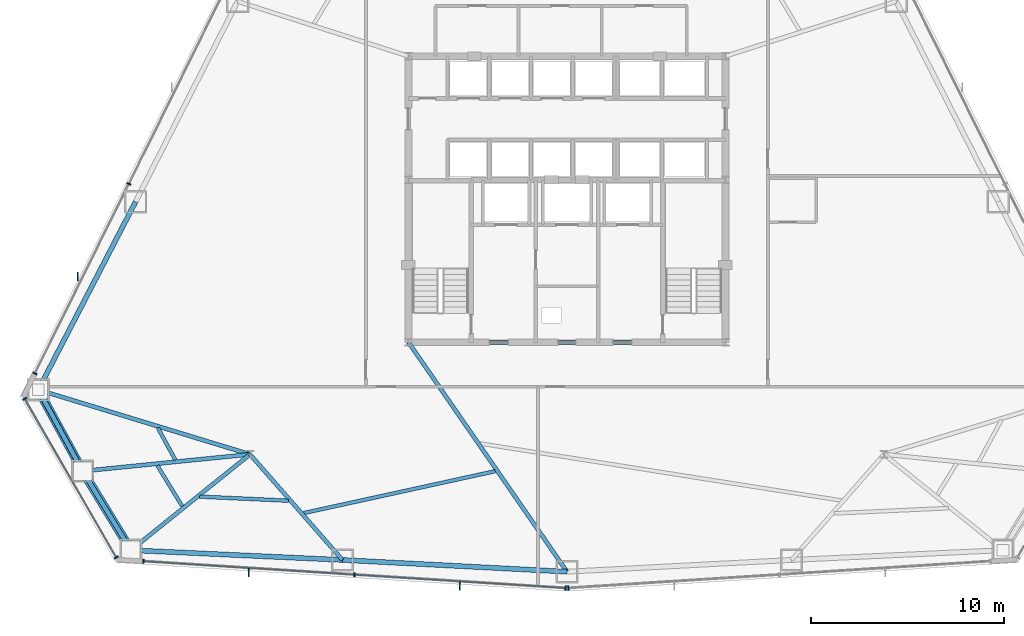
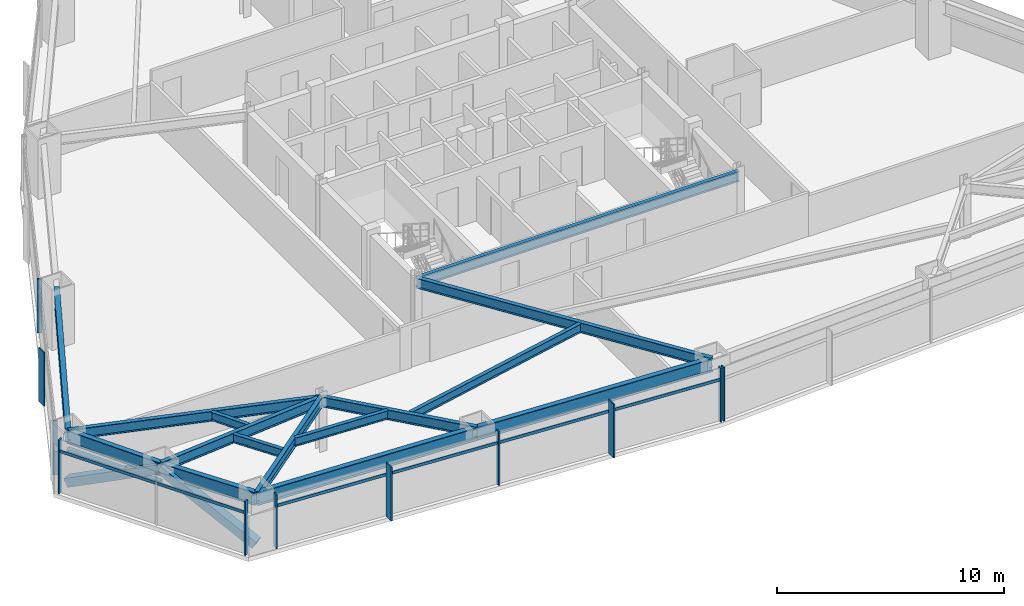
# One storey, part 4 of 12: 16 members, 15 beams, 4 elements without a shape of their own.
"""IFC4 building model written with IfcOpenShell, lengths in metres."""

from ifc_helpers import new_model, si_unit, direction, frame, origin, origin_2d, place, context, subcontext, project, spatial, rectangle, hollow_rectangle, hollow_circle, i_section, extrude, source, transform, mapped, material, layer, layer_set, material_profile, profile_set, type_object, type_shapes, element, aggregate, save


model = new_model("IFC4")

# Units and contexts
model_context = context("Model", 3, precision=1e-05, world=origin(), true_north=direction((0.0, 1.0)))
body_context = subcontext(model_context, "Body", "Model", "MODEL_VIEW")
ifc_project = project(units=[si_unit("LENGTHUNIT", "METRE"), si_unit("AREAUNIT", "SQUARE_METRE"), si_unit("VOLUMEUNIT", "CUBIC_METRE"), si_unit("PLANEANGLEUNIT", "RADIAN"), si_unit("MASSUNIT", "GRAM", prefix="KILO")], contexts=[model_context])

# Site, building, storey
site_placement = place(None, origin())
site = spatial("IfcSite", under=ifc_project, at=site_placement, CompositionType="ELEMENT")
building_placement = place(site_placement, origin())
building = spatial("IfcBuilding", under=site, at=building_placement, Name="Varakhsha Concourse Tower", CompositionType="ELEMENT")
storey_placement = place(building_placement, frame((0.0, 0.0, 65.60009765625)))
storey = spatial("IfcBuildingStorey", under=building, at=storey_placement, Name="L18", CompositionType="ELEMENT", Elevation=65.60009765625)

# Beams
ifc_material_1 = material(Name="Structural Steel ASTM A992 Grade 50", Category="steel")
ifc_material_profile_1 = material_profile(ifc_material_1, i_section(OverallWidth=0.19091796875, OverallDepth=0.45703125, WebThickness=0.009033203125, FlangeThickness=0.013916015625, at=origin_2d()), Name="W18X50")
ifc_profile_set_1 = profile_set([ifc_material_profile_1], Name="Structural Steel ASTM A992 Grade 50")
beam_type_1 = type_object("IfcBeamType", Name="BM-JST-W18X50", PredefinedType="JOIST", material=ifc_profile_set_1)
beam_1_placement = place(storey_placement, frame((18.834228515625, 11.9736328125, 2.67138671875), z_axis=(0.478526062289, -0.878073349846, 0.0), x_axis=(0.878073349846, 0.478526062289, 0.0)))
element("IfcBeam", 1, at=beam_1_placement, inside=storey, type_object=beam_type_1, Name="BM-TJST-L18-07", PredefinedType="JOIST", context=body_context, shape_type="SweptSolid", body=[
    extrude(i_section(OverallWidth=0.19091796875, OverallDepth=0.45703125, WebThickness=0.009033203125, FlangeThickness=0.013916015625, at=origin_2d()), origin(), (0.0, 0.0, 1.0), 1.888671875),
])
beam_2_placement = place(storey_placement, frame((18.80908203125, 10.0205078125, 2.67138671875), z_axis=(0.521241559625, -0.853409184694, 0.0), x_axis=(0.853409184694, 0.521241559625, 0.0)))
element("IfcBeam", 2, at=beam_2_placement, inside=storey, type_object=beam_type_1, Name="BM-TJST-L18-08", PredefinedType="JOIST", context=body_context, shape_type="SweptSolid", body=[
    extrude(i_section(OverallWidth=0.19091796875, OverallDepth=0.45703125, WebThickness=0.009033203125, FlangeThickness=0.013916015625, at=origin_2d()), origin(), (0.0, 0.0, 1.0), 2.463623046875),
])
beam_3_placement = place(storey_placement, frame((20.999755859375, 8.413818359375, 2.67138671875), z_axis=(0.998933788082, -0.04616586431, 0.0), x_axis=(0.04616586431, 0.998933788082, 0.0)))
element("IfcBeam", 3, at=beam_3_placement, inside=storey, type_object=beam_type_1, Name="BM-TJST-L18-09", PredefinedType="JOIST", context=body_context, shape_type="SweptSolid", body=[
    extrude(i_section(OverallWidth=0.19091796875, OverallDepth=0.45703125, WebThickness=0.009033203125, FlangeThickness=0.013916015625, at=origin_2d()), origin(), (0.0, 0.0, 1.0), 4.600830078125),
])
beam_4_placement = place(storey_placement, frame((26.38720703125, 7.564208984375, 2.67138671875), z_axis=(0.976899545769, 0.213699034803, 0.0), x_axis=(-0.213699034803, 0.976899545769, 0.0)))
element("IfcBeam", 4, at=beam_4_placement, inside=storey, type_object=beam_type_1, Name="BM-TJST-L18-10", PredefinedType="JOIST", context=body_context, shape_type="SweptSolid", body=[
    extrude(i_section(OverallWidth=0.19091796875, OverallDepth=0.45703125, WebThickness=0.009033203125, FlangeThickness=0.013916015625, at=origin_2d()), origin(), (0.0, 0.0, 1.0), 10.13134765625),
])
ifc_material_profile_2 = material_profile(ifc_material_1, i_section(OverallWidth=0.2109375, OverallDepth=0.5390625, WebThickness=0.011962890625, FlangeThickness=0.01904296875, at=origin_2d()), Name="W21X73")
ifc_profile_set_2 = profile_set([ifc_material_profile_2], Name="Structural Steel ASTM A992 Grade 50")
beam_type_2 = type_object("IfcBeamType", Name="BM-RAD-W21X73", PredefinedType="BEAM", material=ifc_profile_set_2)
beam_5_placement = place(storey_placement, frame((31.800048828125, 16.39990234375, 2.63037109375), z_axis=(1.0, 0.0, 0.0), x_axis=(0.0, 1.0, 0.0)))
element("IfcBeam", 5, at=beam_5_placement, inside=storey, type_object=beam_type_2, Name="BM-TCORE-L18-CS", PredefinedType="BEAM", context=body_context, shape_type="SweptSolid", body=[
    extrude(i_section(OverallWidth=0.2109375, OverallDepth=0.5390625, WebThickness=0.011962890625, FlangeThickness=0.01904296875, at=origin_2d()), origin(), (0.0, 0.0, 1.0), 16.39990234375),
])
beam_6_placement = place(storey_placement, frame((23.60009765625, 10.60009765625, 2.63037109375), z_axis=(-0.956467040209, 0.291840369026, 0.0), x_axis=(-0.291840369026, -0.956467040209, 0.0)))
element("IfcBeam", 6, at=beam_6_placement, inside=storey, type_object=beam_type_2, Name="L18 Radial Floor Girder 07", PredefinedType="BEAM", context=body_context, shape_type="SweptSolid", body=[
    extrude(i_section(OverallWidth=0.2109375, OverallDepth=0.5390625, WebThickness=0.011962890625, FlangeThickness=0.01904296875, at=origin_2d()), origin(), (0.0, 0.0, 1.0), 11.448974609375),
])
beam_7_placement = place(storey_placement, frame((23.60009765625, 10.60009765625, 2.63037109375), z_axis=(-0.995021064191, -0.099664847443, 0.0), x_axis=(0.099664847443, -0.995021064191, 0.0)))
element("IfcBeam", 7, at=beam_7_placement, inside=storey, type_object=beam_type_2, Name="L18 Radial Floor Girder 08", PredefinedType="BEAM", context=body_context, shape_type="SweptSolid", body=[
    extrude(i_section(OverallWidth=0.2109375, OverallDepth=0.5390625, WebThickness=0.011962890625, FlangeThickness=0.01904296875, at=origin_2d()), origin(), (0.0, 0.0, 1.0), 8.700927734375),
])
beam_8_placement = place(storey_placement, frame((23.60009765625, 10.60009765625, 2.63037109375), z_axis=(-0.779042952089, -0.626970556566, 0.0), x_axis=(0.626970556566, -0.779042952089, 0.0)))
element("IfcBeam", 8, at=beam_8_placement, inside=storey, type_object=beam_type_2, Name="L18 Radial Floor Girder 09", PredefinedType="BEAM", context=body_context, shape_type="SweptSolid", body=[
    extrude(i_section(OverallWidth=0.2109375, OverallDepth=0.5390625, WebThickness=0.011962890625, FlangeThickness=0.01904296875, at=origin_2d()), origin(), (0.0, 0.0, 1.0), 7.90673828125),
])
beam_9_placement = place(storey_placement, frame((23.60009765625, 10.60009765625, 2.63037109375), z_axis=(0.658904355751, -0.75222672777, 0.0), x_axis=(0.75222672777, 0.658904355751, 0.0)))
element("IfcBeam", 9, at=beam_9_placement, inside=storey, type_object=beam_type_2, Name="L18 Radial Floor Girder 10", PredefinedType="BEAM", context=body_context, shape_type="SweptSolid", body=[
    extrude(i_section(OverallWidth=0.2109375, OverallDepth=0.5390625, WebThickness=0.011962890625, FlangeThickness=0.01904296875, at=origin_2d()), origin(), (0.0, 0.0, 1.0), 7.26220703125),
])
beam_10_placement = place(storey_placement, frame((31.800048828125, 16.39990234375, 2.63037109375), z_axis=(0.568374595771, -0.822769906403, 0.0), x_axis=(0.822769906403, 0.568374595771, 0.0)))
element("IfcBeam", 10, at=beam_10_placement, inside=storey, type_object=beam_type_2, Name="L18 Radial Floor Girder 11", PredefinedType="BEAM", context=body_context, shape_type="SweptSolid", body=[
    extrude(i_section(OverallWidth=0.2109375, OverallDepth=0.5390625, WebThickness=0.011962890625, FlangeThickness=0.01904296875, at=origin_2d()), origin(), (0.0, 0.0, 1.0), 14.427001953125),
])
ifc_material_profile_3 = material_profile(ifc_material_1, i_section(OverallWidth=0.25390625, OverallDepth=0.701904296875, WebThickness=0.014892578125, FlangeThickness=0.028076171875, at=origin_2d()), Name="W27X129")
ifc_profile_set_3 = profile_set([ifc_material_profile_3], Name="Structural Steel ASTM A992 Grade 50")
beam_type_3 = type_object("IfcBeamType", Name="BM-SPAN-W27X129", PredefinedType="SPANDREL", material=ifc_profile_set_3)
beam_11_placement = place(storey_placement, frame((17.68359375, 23.672607421875, 2.548828125), z_axis=(-0.459480507345, -0.888187853649, 0.0), x_axis=(0.888187853649, -0.459480507345, 0.0)))
element("IfcBeam", 11, at=beam_11_placement, inside=storey, type_object=beam_type_3, Name="BM-SPAN-L18-06", PredefinedType="SPANDREL", context=body_context, shape_type="SweptSolid", body=[
    extrude(i_section(OverallWidth=0.25390625, OverallDepth=0.701904296875, WebThickness=0.014892578125, FlangeThickness=0.028076171875, at=origin_2d()), origin(), (0.0, 0.0, 1.0), 10.956298828125),
])
for number, where, z_axis, x_axis, name in (
    (12, (12.6494140625, 13.94140625, 2.548828125), (0.478438059968, -0.878121302995, 0.0), (0.878121302995, 0.478438059968, 0.0), "BM-SPAN-L18-07"),
    (13, (14.9423828125, 9.73291015625, 2.548828125), (0.521229514311, -0.853416541562, 0.0), (0.853416541562, 0.521229514311, 0.0), "BM-SPAN-L18-08"),
):
    element("IfcBeam", number, at=place(storey_placement, frame(where, z_axis=z_axis, x_axis=x_axis)), inside=storey, type_object=beam_type_3, Name=name, PredefinedType="SPANDREL", context=body_context, shape_type="SweptSolid", body=[
        extrude(i_section(OverallWidth=0.25390625, OverallDepth=0.701904296875, WebThickness=0.014892578125, FlangeThickness=0.028076171875, at=origin_2d()), origin(), (0.0, 0.0, 1.0), 4.792724609375),
    ])
beam_12_placement = place(storey_placement, frame((17.4404296875, 5.642822265625, 2.548828125), z_axis=(0.998934635381, -0.046147526876, 0.0), x_axis=(0.046147526876, 0.998934635381, 0.0)))
element("IfcBeam", 14, at=beam_12_placement, inside=storey, type_object=beam_type_3, Name="BM-SPAN-L18-09", PredefinedType="SPANDREL", context=body_context, shape_type="SweptSolid", body=[
    extrude(i_section(OverallWidth=0.25390625, OverallDepth=0.701904296875, WebThickness=0.014892578125, FlangeThickness=0.028076171875, at=origin_2d()), origin(), (0.0, 0.0, 1.0), 10.95654296875),
])
beam_13_placement = place(storey_placement, frame((28.38525390625, 5.13720703125, 2.548828125), z_axis=(0.998635285896, -0.05222610231, 0.0), x_axis=(0.05222610231, 0.998635285896, 0.0)))
element("IfcBeam", 15, at=beam_13_placement, inside=storey, type_object=beam_type_3, Name="BM-SPAN-L18-10", PredefinedType="SPANDREL", context=body_context, shape_type="SweptSolid", body=[
    extrude(i_section(OverallWidth=0.25390625, OverallDepth=0.701904296875, WebThickness=0.014892578125, FlangeThickness=0.028076171875, at=origin_2d()), origin(), (0.0, 0.0, 1.0), 11.630615234375),
])

# Members
ifc_material_2 = material(Name="Structural Steel ASTM A500 Grade C", Category="steel")
ifc_material_profile_4 = material_profile(ifc_material_2, hollow_rectangle(XDim=0.449951171875, YDim=0.449951171875, WallThickness=0.01904296875, at=origin_2d()), Name="HSS 450x450x19")
ifc_profile_set_4 = profile_set([ifc_material_profile_4], Name="Structural Steel ASTM A500 Grade C")
member_type_1 = type_object("IfcMemberType", Name="MB-TUBE-HSS450", PredefinedType="BRACE", material=ifc_profile_set_4)
shared_shape_1 = source(origin(), body_context, "Body", "SweptSolid", [
    extrude(hollow_rectangle(XDim=0.449951171875, YDim=0.449951171875, WallThickness=0.01904296875, at=origin_2d()), origin(), (0.0, 0.0, 1.0), 5.396240234375),
])
type_shapes(member_type_1, [shared_shape_1])
for number, where, z_axis, x_axis, name in (
    (16, (12.6494140625, 13.94140625, 0.119873046875), (0.424919405831, -0.779893602823, 0.459575311374), (0.878121302995, 0.478438059968, 0.0), "L18 Wind-Corner Tube Brace B03"),
    (17, (17.4404296875, 5.642822265625, 0.119873046875), (-0.462923969744, 0.757952039202, 0.459576005146), (-0.853416541562, -0.521229514311, 0.0), "L18 Wind-Corner Tube Brace B04"),
):
    element("IfcMember", number, at=place(storey_placement, frame(where, z_axis=z_axis, x_axis=x_axis)), inside=storey, type_object=member_type_1, Name=name, PredefinedType="BRACE", context=body_context, shape_type="MappedRepresentation", body=[
        mapped(shared_shape_1, transform((0.0, 0.0, 0.0), scale=1.0)),
    ])
ifc_material_profile_5 = material_profile(ifc_material_2, hollow_circle(Radius=0.136474609375, WallThickness=0.011962890625, at=origin_2d()), Name="CHS 273x12")
ifc_profile_set_5 = profile_set([ifc_material_profile_5], Name="Structural Steel ASTM A500 Grade C")
member_type_2 = type_object("IfcMemberType", Name="MB-WIND-CHS273", PredefinedType="COLLAR", material=ifc_profile_set_5)
shared_shape_2 = source(origin(), body_context, "Body", "SweptSolid", [
    extrude(hollow_circle(Radius=0.136474609375, WallThickness=0.011962890625, at=origin_2d()), origin(), (0.0, 0.0, 1.0), 4.792724609375),
])
type_shapes(member_type_2, [shared_shape_2])
member_1_placement = place(storey_placement, frame((12.6494140625, 13.94140625, 1.7998046875), z_axis=(0.478438059968, -0.878121302995, 0.0), x_axis=(0.878121302995, 0.478438059968, 0.0)))
element("IfcMember", 18, at=member_1_placement, inside=storey, type_object=member_type_2, Name="L18 Wind-Corner Collar Tie 2", PredefinedType="COLLAR", context=body_context, shape_type="MappedRepresentation", body=[
    mapped(shared_shape_2, transform((0.0, 0.0, 0.0), scale=1.0)),
])

# Curtain wall, member
ifc_material_3 = material(Name="Anodised Bronze Architectural Aluminium AA 6063-T6", Category="aluminium")
ifc_layer = layer(ifc_material_3, 0.219970703125, Name="CW-SYS-02")
ifc_layer_set = layer_set([ifc_layer], Name="Anodised Bronze Architectural Aluminium AA 6063-T6")
curtain_wall_type = type_object("IfcCurtainWallType", Name="CW-SYS-02", PredefinedType="NOTDEFINED", material=ifc_layer_set)
curtain_wall_1_placement = place(storey_placement, origin())
curtain_wall_1 = element("IfcCurtainWall", 19, at=curtain_wall_1_placement, inside=storey, type_object=curtain_wall_type, Name="L18 Chamfer Curtain Wall F4", PredefinedType="NOTDEFINED")
ifc_material_profile_6 = material_profile(ifc_material_3, rectangle(XDim=0.06494140625, YDim=0.159912109375, at=origin_2d()), Name="CWT-160X65")
ifc_profile_set_6 = profile_set([ifc_material_profile_6], Name="Anodised Bronze Architectural Aluminium AA 6063-T6")
member_type_3 = type_object("IfcMemberType", Name="CWT-160X65", PredefinedType="USERDEFINED", material=ifc_profile_set_6)
shared_shape_3 = source(origin(), body_context, "Body", "SweptSolid", [
    extrude(rectangle(XDim=0.06494140625, YDim=0.159912109375, at=origin_2d()), origin(), (0.0, 0.0, 1.0), 9.474365234375),
])
member_2_placement = place(storey_placement, frame((16.6875, 5.2705078125, 2.25), z_axis=(-0.499988638952, 0.866031962989, 0.0), x_axis=(-0.866031962989, -0.499988638952, 0.0)))
member_2 = element("IfcMember", 20, at=member_2_placement, type_object=member_type_3, Name="CW-L18-F4 Transom 01", ObjectType="TRANSOM", PredefinedType="USERDEFINED", context=body_context, shape_type="MappedRepresentation", body=[
    mapped(shared_shape_3, transform((0.0, 0.0, 0.0), scale=1.0)),
])

curtain_wall_2_placement = place(storey_placement, origin())
curtain_wall_2 = element("IfcCurtainWall", 21, at=curtain_wall_2_placement, inside=storey, type_object=curtain_wall_type, Name="L18 Crystal Curtain Wall F5", PredefinedType="NOTDEFINED")
shared_shape_4 = source(origin(), body_context, "Body", "SweptSolid", [
    extrude(rectangle(XDim=0.06494140625, YDim=0.159912109375, at=origin_2d()), origin(), (0.0, 0.0, 1.0), 21.88818359375),
])
type_shapes(member_type_3, [shared_shape_3, shared_shape_4])
member_3_placement = place(storey_placement, frame((39.930419921875, 3.6826171875, 2.25), z_axis=(-0.997990374256, 0.063365707537, 0.0), x_axis=(-0.063365707537, -0.997990374256, 0.0)))
member_3 = element("IfcMember", 22, at=member_3_placement, type_object=member_type_3, Name="CW-L18-F5 Transom 01", ObjectType="TRANSOM", PredefinedType="USERDEFINED", context=body_context, shape_type="MappedRepresentation", body=[
    mapped(shared_shape_4, transform((0.0, 0.0, 0.0), scale=1.0)),
])

# Curtain wall, members
curtain_wall_3_placement = place(storey_placement, origin())
curtain_wall_3 = element("IfcCurtainWall", 23, at=curtain_wall_3_placement, inside=storey, type_object=curtain_wall_type, Name="L18 Crystal Curtain Wall F3", PredefinedType="NOTDEFINED")
ifc_material_profile_7 = material_profile(ifc_material_3, rectangle(XDim=0.074951171875, YDim=0.219970703125, at=origin_2d()), Name="CWM-220X75")
ifc_profile_set_7 = profile_set([ifc_material_profile_7], Name="Anodised Bronze Architectural Aluminium AA 6063-T6")
member_type_4 = type_object("IfcMemberType", Name="CWM-220X75", PredefinedType="MULLION", material=ifc_profile_set_7)
shared_shape_5 = source(origin(), body_context, "Body", "SweptSolid", [
    extrude(rectangle(XDim=0.074951171875, YDim=0.219970703125, at=origin_2d()), origin(), (0.0, 0.0, 1.0), 2.89990234375),
])
type_shapes(member_type_4, [shared_shape_5])
member_4_placement = place(storey_placement, frame((12.475830078125, 14.787353515625, 0.0), z_axis=(0.0, 0.0, 1.0), x_axis=(0.444109829949, 0.895972353894, 0.0)))
member_4 = element("IfcMember", 24, at=member_4_placement, type_object=member_type_4, Name="CW-L18-F3 Mullion 00", PredefinedType="MULLION", context=body_context, shape_type="MappedRepresentation", body=[
    mapped(shared_shape_5, transform((0.0, 0.0, 0.0), scale=1.0)),
])
member_5_placement = place(storey_placement, frame((17.336181640625, 24.593017578125, 0.0), z_axis=(0.0, 0.0, 1.0), x_axis=(0.444109829949, 0.895972353894, 0.0)))
member_5 = element("IfcMember", 25, at=member_5_placement, type_object=member_type_4, Name="CW-L18-F3 Mullion 01", PredefinedType="MULLION", context=body_context, shape_type="MappedRepresentation", body=[
    mapped(shared_shape_5, transform((0.0, 0.0, 0.0), scale=1.0)),
])

# Member
member_6_placement = place(storey_placement, frame((16.6875, 5.2705078125, 0.0), z_axis=(0.0, 0.0, 1.0), x_axis=(-0.499995465495, 0.866028021766, 0.0)))
member_6 = element("IfcMember", 26, at=member_6_placement, type_object=member_type_4, Name="CW-L18-F4 Mullion 00", PredefinedType="MULLION", context=body_context, shape_type="MappedRepresentation", body=[
    mapped(shared_shape_5, transform((0.0, 0.0, 0.0), scale=1.0)),
])

member_7_placement = place(storey_placement, frame((11.950439453125, 13.4755859375, 0.0), z_axis=(0.0, 0.0, 1.0), x_axis=(-0.499995465495, 0.866028021766, 0.0)))
member_7 = element("IfcMember", 27, at=member_7_placement, type_object=member_type_4, Name="CW-L18-F4 Mullion 01", PredefinedType="MULLION", context=body_context, shape_type="MappedRepresentation", body=[
    mapped(shared_shape_5, transform((0.0, 0.0, 0.0), scale=1.0)),
])

aggregate(curtain_wall_1, [member_6, member_7, member_2])

member_8_placement = place(storey_placement, frame((39.930419921875, 3.6826171875, 0.0), z_axis=(0.0, 0.0, 1.0), x_axis=(-0.997989623922, 0.063377523961, 0.0)))
member_8 = element("IfcMember", 28, at=member_8_placement, type_object=member_type_4, Name="CW-L18-F5 Mullion 00", PredefinedType="MULLION", context=body_context, shape_type="MappedRepresentation", body=[
    mapped(shared_shape_5, transform((0.0, 0.0, 0.0), scale=1.0)),
])

member_9_placement = place(storey_placement, frame((29.00830078125, 4.376220703125, 0.0), z_axis=(0.0, 0.0, 1.0), x_axis=(-0.997989623922, 0.063377523961, 0.0)))
member_9 = element("IfcMember", 29, at=member_9_placement, type_object=member_type_4, Name="CW-L18-F5 Mullion 01", PredefinedType="MULLION", context=body_context, shape_type="MappedRepresentation", body=[
    mapped(shared_shape_5, transform((0.0, 0.0, 0.0), scale=1.0)),
])

member_10_placement = place(storey_placement, frame((18.086181640625, 5.069580078125, 0.0), z_axis=(0.0, 0.0, 1.0), x_axis=(-0.997989623922, 0.063377523961, 0.0)))
member_10 = element("IfcMember", 30, at=member_10_placement, type_object=member_type_4, Name="CW-L18-F5 Mullion 02", PredefinedType="MULLION", context=body_context, shape_type="MappedRepresentation", body=[
    mapped(shared_shape_5, transform((0.0, 0.0, 0.0), scale=1.0)),
])

# Curtain wall, member
curtain_wall_4_placement = place(storey_placement, origin())
curtain_wall_4 = element("IfcCurtainWall", 31, at=curtain_wall_4_placement, inside=storey, type_object=curtain_wall_type, Name="L18 Crystal Curtain Wall F6", PredefinedType="NOTDEFINED")
member_11_placement = place(storey_placement, frame((40.069580078125, 3.6826171875, 0.0), z_axis=(0.0, 0.0, 1.0), x_axis=(-0.997989623922, -0.063377523961, 0.0)))
member_11 = element("IfcMember", 32, at=member_11_placement, type_object=member_type_4, Name="CW-L18-F6 Mullion 02", PredefinedType="MULLION", context=body_context, shape_type="MappedRepresentation", body=[
    mapped(shared_shape_5, transform((0.0, 0.0, 0.0), scale=1.0)),
])
aggregate(curtain_wall_4, [member_11])

# Member
ifc_material_profile_8 = material_profile(ifc_material_3, rectangle(XDim=0.06494140625, YDim=0.449951171875, at=origin_2d()), Name="FIN-BRZ-450")
ifc_profile_set_8 = profile_set([ifc_material_profile_8], Name="Anodised Bronze Architectural Aluminium AA 6063-T6")
member_type_5 = type_object("IfcMemberType", Name="FIN-BRZ-450", PredefinedType="USERDEFINED", material=ifc_profile_set_8)
shared_shape_6 = source(origin(), body_context, "Body", "SweptSolid", [
    extrude(rectangle(XDim=0.06494140625, YDim=0.449951171875, at=origin_2d()), origin(), (0.0, 0.0, 1.0), 2.89990234375),
])
type_shapes(member_type_5, [shared_shape_6])
member_12_placement = place(storey_placement, frame((14.69091796875, 19.796630859375, 0.0), z_axis=(0.0, 0.0, 1.0), x_axis=(1.0, 0.0, 0.0)))
member_12 = element("IfcMember", 33, at=member_12_placement, type_object=member_type_5, Name="L18 Anodised Bronze Solar Fin F3-1", ObjectType="SOLAR FIN", PredefinedType="USERDEFINED", context=body_context, shape_type="MappedRepresentation", body=[
    mapped(shared_shape_6, transform((0.0, 0.0, 0.0), scale=1.0)),
])

aggregate(curtain_wall_3, [member_4, member_5, member_12])

member_13_placement = place(storey_placement, frame((34.4541015625, 3.789794921875, 0.0), z_axis=(0.0, 0.0, 1.0), x_axis=(1.0, 0.0, 0.0)))
member_13 = element("IfcMember", 34, at=member_13_placement, type_object=member_type_5, Name="L18 Anodised Bronze Solar Fin F5-1", ObjectType="SOLAR FIN", PredefinedType="USERDEFINED", context=body_context, shape_type="MappedRepresentation", body=[
    mapped(shared_shape_6, transform((0.0, 0.0, 0.0), scale=1.0)),
])

member_14_placement = place(storey_placement, frame((23.531982421875, 4.4833984375, 0.0), z_axis=(0.0, 0.0, 1.0), x_axis=(1.0, 0.0, 0.0)))
member_14 = element("IfcMember", 35, at=member_14_placement, type_object=member_type_5, Name="L18 Anodised Bronze Solar Fin F5-2", ObjectType="SOLAR FIN", PredefinedType="USERDEFINED", context=body_context, shape_type="MappedRepresentation", body=[
    mapped(shared_shape_6, transform((0.0, 0.0, 0.0), scale=1.0)),
])

aggregate(curtain_wall_2, [member_8, member_9, member_10, member_3, member_13, member_14])

save(model, "model.ifc")
